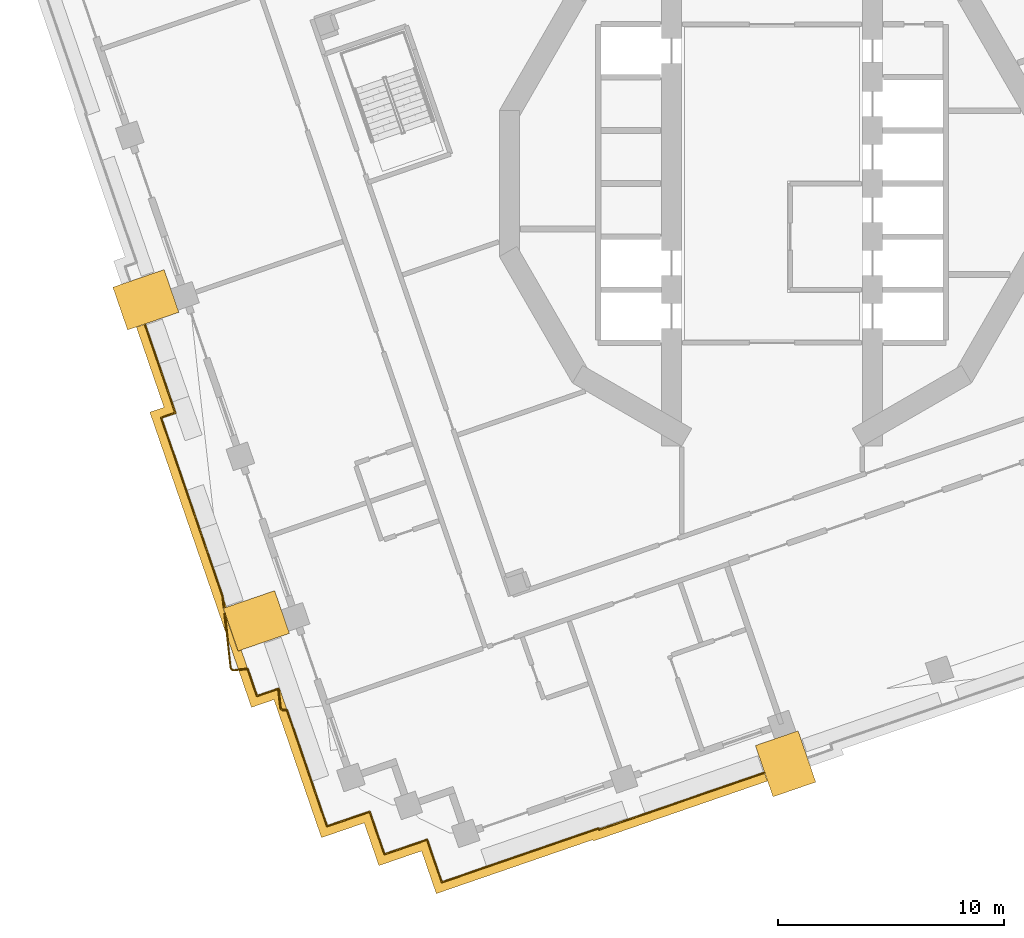
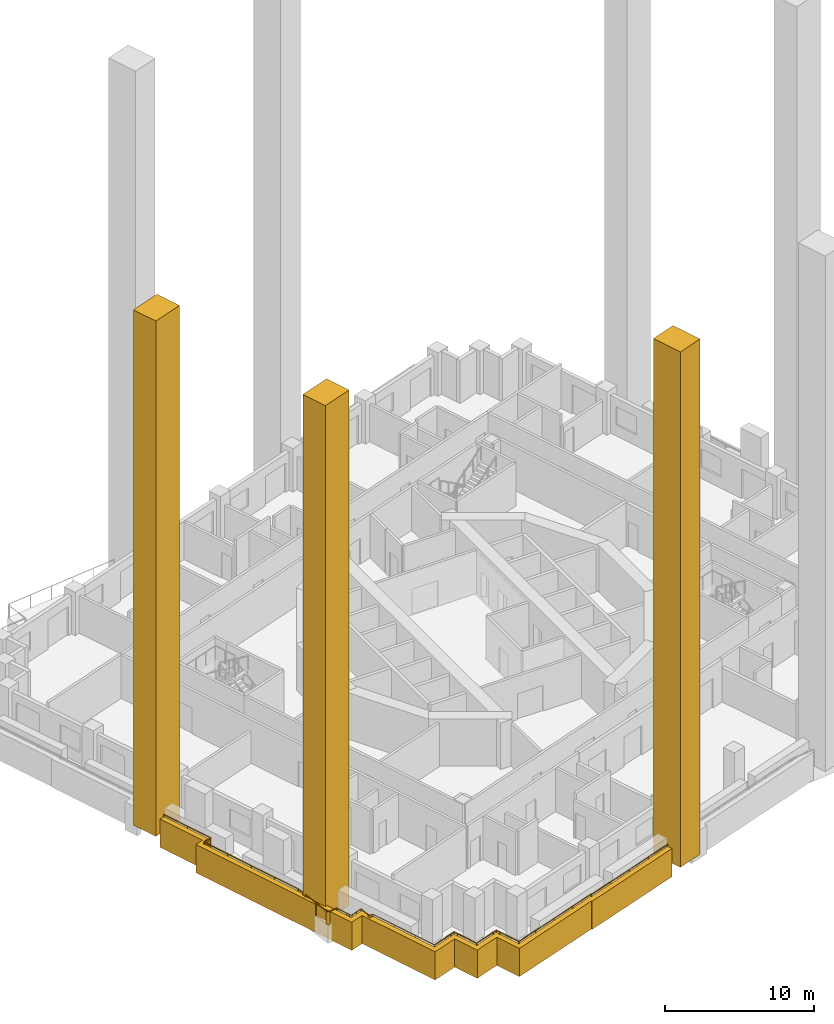
# One storey, part 10 of 18: 4 coverings, 3 railings.
"""IFC4 building model written with IfcOpenShell, lengths in metres."""

from ifc_helpers import new_model, si_unit, direction, frame, origin, origin_2d, place, context, subcontext, project, spatial, polyline, rectangle, circle, outline, extrude, material, type_object, element, save


model = new_model("IFC4")

# Units and contexts
model_context = context("Model", 3, precision=1e-05, world=origin(), true_north=direction((0.0, 1.0)))
body_context = subcontext(model_context, "Body", "Model", "MODEL_VIEW")
ifc_project = project(units=[si_unit("LENGTHUNIT", "METRE"), si_unit("AREAUNIT", "SQUARE_METRE"), si_unit("VOLUMEUNIT", "CUBIC_METRE"), si_unit("PLANEANGLEUNIT", "RADIAN"), si_unit("MASSUNIT", "GRAM", prefix="KILO")], contexts=[model_context])

# Site, building, storey
site_placement = place(None, origin())
site = spatial("IfcSite", under=ifc_project, at=site_placement, CompositionType="ELEMENT")
building_placement = place(site_placement, origin())
building = spatial("IfcBuilding", under=site, at=building_placement, Name="Cantera Rosa Tower", CompositionType="ELEMENT")
storey_placement = place(building_placement, frame((0.0, 0.0, 100.300048828125)))
storey = spatial("IfcBuildingStorey", under=building, at=storey_placement, Name="L19", CompositionType="ELEMENT", Elevation=100.300048828125)

# Railings
ifc_material_1 = material(Name="Stainless steel and laminated glass", Category="steel")
railing_type = type_object("IfcRailingType", Name="GUARD 1100", PredefinedType="BALUSTRADE", material=ifc_material_1)
railing_1_placement = place(storey_placement, frame((-19.705810546875, -28.466552734375, 0.0)))
element("IfcRailing", 1, at=railing_1_placement, inside=storey, type_object=railing_type, Name="GUARD L19-1", PredefinedType="BALUSTRADE", context=body_context, shape_type="SweptSolid", body=[
    extrude(circle(Radius=0.030029296875, at=origin_2d()), frame((0.0, 0.0, 1.070068359375), z_axis=(-0.325561349174, 0.945520918819, 0.0), x_axis=(-0.945520918819, -0.325561349174, 0.0)), (0.0, 0.0, 1.0), 1.699951171875),
    extrude(circle(Radius=0.030029296875, at=origin_2d()), frame((-0.553466796875, 1.607421875, 1.070068359375), z_axis=(-0.325563487495, 0.94552018255, 0.0), x_axis=(-0.94552018255, -0.325563487495, 0.0)), (0.0, 0.0, 1.0), 3.751708984375),
    extrude(circle(Radius=0.030029296875, at=origin_2d()), frame((-1.77490234375, 5.15478515625, 1.070068359375), z_axis=(-0.993720777741, -0.111888408181, 0.0), x_axis=(0.111888408181, -0.993720777741, 0.0)), (0.0, 0.0, 1.0), 0.128662109375),
    extrude(circle(Radius=0.030029296875, at=origin_2d()), frame((-1.90283203125, 5.140380859375, 1.070068359375), z_axis=(-0.998752338878, -0.049937616944, 0.0), x_axis=(0.049937616944, -0.998752338878, 0.0)), (0.0, 0.0, 1.0), 0.0146484375),
    extrude(circle(Radius=0.030029296875, at=origin_2d()), frame((-1.91748046875, 5.1396484375, 1.070068359375), z_axis=(-0.999462943033, 0.032769276821, 0.0), x_axis=(-0.032769276821, -0.999462943033, 0.0)), (0.0, 0.0, 1.0), 0.014892578125),
    extrude(circle(Radius=0.030029296875, at=origin_2d()), frame((-1.932373046875, 5.14013671875, 1.070068359375), z_axis=(-0.99093208818, 0.134363672974, 0.0), x_axis=(-0.134363672974, -0.99093208818, 0.0)), (0.0, 0.0, 1.0), 0.0146484375),
    extrude(circle(Radius=0.030029296875, at=origin_2d()), frame((-1.94677734375, 5.14208984375, 1.070068359375), z_axis=(-0.972982875401, 0.230877292468, 0.0), x_axis=(-0.230877292468, -0.972982875401, 0.0)), (0.0, 0.0, 1.0), 0.014892578125),
    extrude(circle(Radius=0.030029296875, at=origin_2d()), frame((-1.961181640625, 5.1455078125, 1.070068359375), z_axis=(-0.943599982133, 0.331087713029, 0.0), x_axis=(-0.331087713029, -0.943599982133, 0.0)), (0.0, 0.0, 1.0), 0.0146484375),
    extrude(circle(Radius=0.030029296875, at=origin_2d()), frame((-1.97509765625, 5.150390625, 1.070068359375), z_axis=(-0.910366477463, 0.413802944301, 0.0), x_axis=(-0.413802944301, -0.910366477463, 0.0)), (0.0, 0.0, 1.0), 0.0146484375),
    extrude(circle(Radius=0.030029296875, at=origin_2d()), frame((-1.988525390625, 5.156494140625, 1.070068359375), z_axis=(-0.866185586049, 0.49972245349, 0.0), x_axis=(-0.49972245349, -0.866185586049, 0.0)), (0.0, 0.0, 1.0), 0.0146484375),
    extrude(circle(Radius=0.030029296875, at=origin_2d()), frame((-2.001220703125, 5.163818359375, 1.070068359375), z_axis=(-0.813733471207, 0.581238193719, 0.0), x_axis=(-0.581238193719, -0.813733471207, 0.0)), (0.0, 0.0, 1.0), 0.0146484375),
    extrude(circle(Radius=0.030029296875, at=origin_2d()), frame((-2.01318359375, 5.17236328125, 1.070068359375), z_axis=(-0.747409318684, 0.66436383883, 0.0), x_axis=(-0.66436383883, -0.747409318684, 0.0)), (0.0, 0.0, 1.0), 0.0146484375),
    extrude(circle(Radius=0.030029296875, at=origin_2d()), frame((-2.024169921875, 5.18212890625, 1.070068359375), z_axis=(-0.673489996184, 0.739196337275, 0.0), x_axis=(-0.739196337275, -0.673489996184, 0.0)), (0.0, 0.0, 1.0), 0.014892578125),
    extrude(circle(Radius=0.030029296875, at=origin_2d()), frame((-2.0341796875, 5.193115234375, 1.070068359375), z_axis=(-0.618559606331, 0.785737878313, 0.0), x_axis=(-0.785737878313, -0.618559606331, 0.0)), (0.0, 0.0, 1.0), 0.0146484375),
    extrude(circle(Radius=0.030029296875, at=origin_2d()), frame((-2.043212890625, 5.20458984375, 1.070068359375), z_axis=(-0.512064542317, 0.858946974209, 0.0), x_axis=(-0.858946974209, -0.512064542317, 0.0)), (0.0, 0.0, 1.0), 0.014892578125),
    extrude(circle(Radius=0.030029296875, at=origin_2d()), frame((-2.05078125, 5.21728515625, 1.070068359375), z_axis=(-0.4472135955, 0.894427191, 0.0), x_axis=(-0.894427191, -0.4472135955, 0.0)), (0.0, 0.0, 1.0), 0.0146484375),
    extrude(circle(Radius=0.030029296875, at=origin_2d()), frame((-2.057373046875, 5.23046875, 1.070068359375), z_axis=(-0.345705358827, 0.938343116817, 0.0), x_axis=(-0.938343116817, -0.345705358827, 0.0)), (0.0, 0.0, 1.0), 0.014892578125),
    extrude(circle(Radius=0.030029296875, at=origin_2d()), frame((-2.0625, 5.244384765625, 1.070068359375), z_axis=(-0.250382821969, 0.968146911612, 0.0), x_axis=(-0.968146911612, -0.250382821969, 0.0)), (0.0, 0.0, 1.0), 0.0146484375),
    extrude(circle(Radius=0.030029296875, at=origin_2d()), frame((-2.066162109375, 5.258544921875, 1.070068359375), z_axis=(-0.167108230108, 0.985938557634, 0.0), x_axis=(-0.985938557634, -0.167108230108, 0.0)), (0.0, 0.0, 1.0), 0.0146484375),
    extrude(circle(Radius=0.030029296875, at=origin_2d()), frame((-2.068603515625, 5.27294921875, 1.070068359375), z_axis=(-0.110301350442, 0.993898190003, 0.0), x_axis=(-0.993898190003, -0.110301350442, 0.0)), (0.0, 0.0, 1.0), 0.823486328125),
    extrude(circle(Radius=0.030029296875, at=origin_2d()), frame((-2.159423828125, 6.09130859375, 1.070068359375), z_axis=(-0.141421356237, 0.989949493661, 0.0), x_axis=(-0.989949493661, -0.141421356237, 0.0)), (0.0, 0.0, 1.0), 0.00341796875),
    extrude(circle(Radius=0.030029296875, at=origin_2d()), frame((-2.159912109375, 6.0947265625, 1.070068359375), z_axis=(-0.964763821238, -0.263117405792, 0.0), x_axis=(0.263117405792, -0.964763821238, 0.0)), (0.0, 0.0, 1.0), 0.002685546875),
    extrude(circle(Radius=0.030029296875, at=origin_2d()), frame((-2.16259765625, 6.093994140625, 1.070068359375), z_axis=(-0.945630789011, -0.325242080419, 0.0), x_axis=(0.325242080419, -0.945630789011, 0.0)), (0.0, 0.0, 1.0), 0.46240234375),
    extrude(circle(Radius=0.030029296875, at=origin_2d()), frame((-2.599853515625, 5.943603515625, 1.070068359375), z_axis=(-0.945495531654, -0.325635071241, 0.0), x_axis=(0.325635071241, -0.945495531654, 0.0)), (0.0, 0.0, 1.0), 0.380859375),
    extrude(circle(Radius=0.030029296875, at=origin_2d()), frame((-2.9599609375, 5.819580078125, 1.070068359375), z_axis=(-0.894427191, -0.4472135955, 0.0), x_axis=(0.4472135955, -0.894427191, 0.0)), (0.0, 0.0, 1.0), 0.00048828125),
    extrude(circle(Radius=0.030029296875, at=origin_2d()), frame((-2.96044921875, 5.8193359375, 1.070068359375), z_axis=(-0.945702289653, -0.325034120278, 0.0), x_axis=(0.325034120278, -0.945702289653, 0.0)), (0.0, 0.0, 1.0), 0.1494140625),
    extrude(circle(Radius=0.030029296875, at=origin_2d()), frame((-3.101806640625, 5.770751953125, 1.070068359375), z_axis=(-0.324532784785, 0.945874448117, 0.0), x_axis=(-0.945874448117, -0.324532784785, 0.0)), (0.0, 0.0, 1.0), 0.149658203125),
    extrude(circle(Radius=0.030029296875, at=origin_2d()), frame((-3.150390625, 5.912353515625, 1.070068359375), z_axis=(-0.707106781187, 0.707106781187, 0.0), x_axis=(-0.707106781187, -0.707106781187, 0.0)), (0.0, 0.0, 1.0), 0.000244140625),
    extrude(circle(Radius=0.030029296875, at=origin_2d()), frame((-3.150634765625, 5.91259765625, 1.070068359375), z_axis=(-0.324870696456, 0.945758441984, 0.0), x_axis=(-0.945758441984, -0.324870696456, 0.0)), (0.0, 0.0, 1.0), 0.228515625),
    extrude(circle(Radius=0.030029296875, at=origin_2d()), frame((-3.224853515625, 6.128662109375, 1.070068359375), z_axis=(-0.325745820547, 0.945457381587, 0.0), x_axis=(-0.945457381587, -0.325745820547, 0.0)), (0.0, 0.0, 1.0), 0.89111328125),
    extrude(circle(Radius=0.030029296875, at=origin_2d()), frame((-3.51513671875, 6.97119140625, 1.070068359375), z_axis=(-0.371390676354, 0.928476690885, 0.0), x_axis=(-0.928476690885, -0.371390676354, 0.0)), (0.0, 0.0, 1.0), 0.002685546875),
    extrude(circle(Radius=0.030029296875, at=origin_2d()), frame((-3.51611328125, 6.9736328125, 1.070068359375), z_axis=(-0.997458699831, -0.071247049988, 0.0), x_axis=(0.071247049988, -0.997458699831, 0.0)), (0.0, 0.0, 1.0), 0.00341796875),
    extrude(circle(Radius=0.030029296875, at=origin_2d()), frame((-3.51953125, 6.973388671875, 1.070068359375), z_axis=(-0.99389872639, -0.110296517079, 0.0), x_axis=(0.110296517079, -0.99389872639, 0.0)), (0.0, 0.0, 1.0), 0.595458984375),
    extrude(circle(Radius=0.030029296875, at=origin_2d()), frame((-4.111328125, 6.90771484375, 1.070068359375), z_axis=(-0.997785157857, -0.066519010524, 0.0), x_axis=(0.066519010524, -0.997785157857, 0.0)), (0.0, 0.0, 1.0), 0.0146484375),
    extrude(circle(Radius=0.030029296875, at=origin_2d()), frame((-4.1259765625, 6.90673828125, 1.070068359375), z_axis=(-0.999444906979, 0.033314830233, 0.0), x_axis=(-0.033314830233, -0.999444906979, 0.0)), (0.0, 0.0, 1.0), 0.0146484375),
    extrude(circle(Radius=0.030029296875, at=origin_2d()), frame((-4.140625, 6.9072265625, 1.070068359375), z_axis=(-0.991227900683, 0.132163720091, 0.0), x_axis=(-0.132163720091, -0.991227900683, 0.0)), (0.0, 0.0, 1.0), 0.014892578125),
    extrude(circle(Radius=0.030029296875, at=origin_2d()), frame((-4.1552734375, 6.9091796875, 1.070068359375), z_axis=(-0.972982875401, 0.230877292468, 0.0), x_axis=(-0.230877292468, -0.972982875401, 0.0)), (0.0, 0.0, 1.0), 0.014892578125),
    extrude(circle(Radius=0.030029296875, at=origin_2d()), frame((-4.169677734375, 6.91259765625, 1.070068359375), z_axis=(-0.943599982133, 0.331087713029, 0.0), x_axis=(-0.331087713029, -0.943599982133, 0.0)), (0.0, 0.0, 1.0), 0.0146484375),
    extrude(circle(Radius=0.030029296875, at=origin_2d()), frame((-4.18359375, 6.91748046875, 1.070068359375), z_axis=(-0.910366477463, 0.413802944301, 0.0), x_axis=(-0.413802944301, -0.910366477463, 0.0)), (0.0, 0.0, 1.0), 0.0146484375),
    extrude(circle(Radius=0.030029296875, at=origin_2d()), frame((-4.197021484375, 6.923583984375, 1.070068359375), z_axis=(-0.866185586049, 0.49972245349, 0.0), x_axis=(-0.49972245349, -0.866185586049, 0.0)), (0.0, 0.0, 1.0), 0.0146484375),
    extrude(circle(Radius=0.030029296875, at=origin_2d()), frame((-4.209716796875, 6.930908203125, 1.070068359375), z_axis=(-0.813733471207, 0.581238193719, 0.0), x_axis=(-0.581238193719, -0.813733471207, 0.0)), (0.0, 0.0, 1.0), 0.0146484375),
    extrude(circle(Radius=0.030029296875, at=origin_2d()), frame((-4.2216796875, 6.939453125, 1.070068359375), z_axis=(-0.747409318684, 0.66436383883, 0.0), x_axis=(-0.66436383883, -0.747409318684, 0.0)), (0.0, 0.0, 1.0), 0.0146484375),
    extrude(circle(Radius=0.030029296875, at=origin_2d()), frame((-4.232666015625, 6.94921875, 1.070068359375), z_axis=(-0.673489996184, 0.739196337275, 0.0), x_axis=(-0.739196337275, -0.673489996184, 0.0)), (0.0, 0.0, 1.0), 0.014892578125),
    extrude(circle(Radius=0.030029296875, at=origin_2d()), frame((-4.24267578125, 6.960205078125, 1.070068359375), z_axis=(-0.6, 0.8, 0.0), x_axis=(-0.8, -0.6, 0.0)), (0.0, 0.0, 1.0), 0.0146484375),
    extrude(circle(Radius=0.030029296875, at=origin_2d()), frame((-4.25146484375, 6.971923828125, 1.070068359375), z_axis=(-0.531491071064, 0.847063894508, 0.0), x_axis=(-0.847063894508, -0.531491071064, 0.0)), (0.0, 0.0, 1.0), 0.0146484375),
    extrude(circle(Radius=0.030029296875, at=origin_2d()), frame((-4.25927734375, 6.984375, 1.070068359375), z_axis=(-0.433815618773, 0.901001669759, 0.0), x_axis=(-0.901001669759, -0.433815618773, 0.0)), (0.0, 0.0, 1.0), 0.0146484375),
    extrude(circle(Radius=0.030029296875, at=origin_2d()), frame((-4.265625, 6.99755859375, 1.070068359375), z_axis=(-0.345705358827, 0.938343116817, 0.0), x_axis=(-0.938343116817, -0.345705358827, 0.0)), (0.0, 0.0, 1.0), 0.014892578125),
    extrude(circle(Radius=0.030029296875, at=origin_2d()), frame((-4.270751953125, 7.011474609375, 1.070068359375), z_axis=(-0.265928998126, 0.963992618206, 0.0), x_axis=(-0.963992618206, -0.265928998126, 0.0)), (0.0, 0.0, 1.0), 0.0146484375),
    extrude(circle(Radius=0.030029296875, at=origin_2d()), frame((-4.274658203125, 7.025634765625, 1.070068359375), z_axis=(-0.150797989671, 0.988564598957, 0.0), x_axis=(-0.988564598957, -0.150797989671, 0.0)), (0.0, 0.0, 1.0), 0.0146484375),
    extrude(circle(Radius=0.030029296875, at=origin_2d()), frame((-4.27685546875, 7.0400390625, 1.070068359375), z_axis=(-0.110363980542, 0.993891237409, 0.0), x_axis=(-0.993891237409, -0.110363980542, 0.0)), (0.0, 0.0, 1.0), 2.38037109375),
    extrude(circle(Radius=0.02490234375, at=origin_2d()), origin(), (0.0, 0.0, 1.0), 1.0400390625),
    extrude(circle(Radius=0.02490234375, at=origin_2d()), frame((-0.553466796875, 1.607421875, 0.0)), (0.0, 0.0, 1.0), 1.0400390625),
    extrude(circle(Radius=0.02490234375, at=origin_2d()), frame((-1.1640625, 3.381103515625, 0.0)), (0.0, 0.0, 1.0), 1.0400390625),
    extrude(circle(Radius=0.02490234375, at=origin_2d()), frame((-1.77490234375, 5.15478515625, 0.0)), (0.0, 0.0, 1.0), 1.0400390625),
    extrude(circle(Radius=0.02490234375, at=origin_2d()), frame((-1.90283203125, 5.140380859375, 0.0)), (0.0, 0.0, 1.0), 1.0400390625),
    extrude(circle(Radius=0.02490234375, at=origin_2d()), frame((-1.91748046875, 5.1396484375, 0.0)), (0.0, 0.0, 1.0), 1.0400390625),
    extrude(circle(Radius=0.02490234375, at=origin_2d()), frame((-1.932373046875, 5.14013671875, 0.0)), (0.0, 0.0, 1.0), 1.0400390625),
    extrude(circle(Radius=0.02490234375, at=origin_2d()), frame((-1.94677734375, 5.14208984375, 0.0)), (0.0, 0.0, 1.0), 1.0400390625),
    extrude(circle(Radius=0.02490234375, at=origin_2d()), frame((-1.961181640625, 5.1455078125, 0.0)), (0.0, 0.0, 1.0), 1.0400390625),
    extrude(circle(Radius=0.02490234375, at=origin_2d()), frame((-1.97509765625, 5.150390625, 0.0)), (0.0, 0.0, 1.0), 1.0400390625),
    extrude(circle(Radius=0.02490234375, at=origin_2d()), frame((-1.988525390625, 5.156494140625, 0.0)), (0.0, 0.0, 1.0), 1.0400390625),
    extrude(circle(Radius=0.02490234375, at=origin_2d()), frame((-2.001220703125, 5.163818359375, 0.0)), (0.0, 0.0, 1.0), 1.0400390625),
    extrude(circle(Radius=0.02490234375, at=origin_2d()), frame((-2.01318359375, 5.17236328125, 0.0)), (0.0, 0.0, 1.0), 1.0400390625),
    extrude(circle(Radius=0.02490234375, at=origin_2d()), frame((-2.024169921875, 5.18212890625, 0.0)), (0.0, 0.0, 1.0), 1.0400390625),
    extrude(circle(Radius=0.02490234375, at=origin_2d()), frame((-2.0341796875, 5.193115234375, 0.0)), (0.0, 0.0, 1.0), 1.0400390625),
    extrude(circle(Radius=0.02490234375, at=origin_2d()), frame((-2.043212890625, 5.20458984375, 0.0)), (0.0, 0.0, 1.0), 1.0400390625),
    extrude(circle(Radius=0.02490234375, at=origin_2d()), frame((-2.05078125, 5.21728515625, 0.0)), (0.0, 0.0, 1.0), 1.0400390625),
    extrude(circle(Radius=0.02490234375, at=origin_2d()), frame((-2.057373046875, 5.23046875, 0.0)), (0.0, 0.0, 1.0), 1.0400390625),
    extrude(circle(Radius=0.02490234375, at=origin_2d()), frame((-2.0625, 5.244384765625, 0.0)), (0.0, 0.0, 1.0), 1.0400390625),
    extrude(circle(Radius=0.02490234375, at=origin_2d()), frame((-2.066162109375, 5.258544921875, 0.0)), (0.0, 0.0, 1.0), 1.0400390625),
    extrude(circle(Radius=0.02490234375, at=origin_2d()), frame((-2.068603515625, 5.27294921875, 0.0)), (0.0, 0.0, 1.0), 1.0400390625),
    extrude(circle(Radius=0.02490234375, at=origin_2d()), frame((-2.159423828125, 6.09130859375, 0.0)), (0.0, 0.0, 1.0), 1.0400390625),
    extrude(circle(Radius=0.02490234375, at=origin_2d()), frame((-2.159912109375, 6.0947265625, 0.0)), (0.0, 0.0, 1.0), 1.0400390625),
    extrude(circle(Radius=0.02490234375, at=origin_2d()), frame((-2.16259765625, 6.093994140625, 0.0)), (0.0, 0.0, 1.0), 1.0400390625),
    extrude(circle(Radius=0.02490234375, at=origin_2d()), frame((-2.599853515625, 5.943603515625, 0.0)), (0.0, 0.0, 1.0), 1.0400390625),
    extrude(circle(Radius=0.02490234375, at=origin_2d()), frame((-2.9599609375, 5.819580078125, 0.0)), (0.0, 0.0, 1.0), 1.0400390625),
    extrude(circle(Radius=0.02490234375, at=origin_2d()), frame((-2.96044921875, 5.8193359375, 0.0)), (0.0, 0.0, 1.0), 1.0400390625),
    extrude(circle(Radius=0.02490234375, at=origin_2d()), frame((-3.101806640625, 5.770751953125, 0.0)), (0.0, 0.0, 1.0), 1.0400390625),
    extrude(circle(Radius=0.02490234375, at=origin_2d()), frame((-3.150390625, 5.912353515625, 0.0)), (0.0, 0.0, 1.0), 1.0400390625),
    extrude(circle(Radius=0.02490234375, at=origin_2d()), frame((-3.150634765625, 5.91259765625, 0.0)), (0.0, 0.0, 1.0), 1.0400390625),
    extrude(circle(Radius=0.02490234375, at=origin_2d()), frame((-3.224853515625, 6.128662109375, 0.0)), (0.0, 0.0, 1.0), 1.0400390625),
    extrude(circle(Radius=0.02490234375, at=origin_2d()), frame((-3.51513671875, 6.97119140625, 0.0)), (0.0, 0.0, 1.0), 1.0400390625),
    extrude(circle(Radius=0.02490234375, at=origin_2d()), frame((-3.51611328125, 6.9736328125, 0.0)), (0.0, 0.0, 1.0), 1.0400390625),
    extrude(circle(Radius=0.02490234375, at=origin_2d()), frame((-3.51953125, 6.973388671875, 0.0)), (0.0, 0.0, 1.0), 1.0400390625),
    extrude(circle(Radius=0.02490234375, at=origin_2d()), frame((-4.111328125, 6.90771484375, 0.0)), (0.0, 0.0, 1.0), 1.0400390625),
    extrude(circle(Radius=0.02490234375, at=origin_2d()), frame((-4.1259765625, 6.90673828125, 0.0)), (0.0, 0.0, 1.0), 1.0400390625),
    extrude(circle(Radius=0.02490234375, at=origin_2d()), frame((-4.140625, 6.9072265625, 0.0)), (0.0, 0.0, 1.0), 1.0400390625),
    extrude(circle(Radius=0.02490234375, at=origin_2d()), frame((-4.1552734375, 6.9091796875, 0.0)), (0.0, 0.0, 1.0), 1.0400390625),
    extrude(circle(Radius=0.02490234375, at=origin_2d()), frame((-4.169677734375, 6.91259765625, 0.0)), (0.0, 0.0, 1.0), 1.0400390625),
    extrude(circle(Radius=0.02490234375, at=origin_2d()), frame((-4.18359375, 6.91748046875, 0.0)), (0.0, 0.0, 1.0), 1.0400390625),
    extrude(circle(Radius=0.02490234375, at=origin_2d()), frame((-4.197021484375, 6.923583984375, 0.0)), (0.0, 0.0, 1.0), 1.0400390625),
    extrude(circle(Radius=0.02490234375, at=origin_2d()), frame((-4.209716796875, 6.930908203125, 0.0)), (0.0, 0.0, 1.0), 1.0400390625),
    extrude(circle(Radius=0.02490234375, at=origin_2d()), frame((-4.2216796875, 6.939453125, 0.0)), (0.0, 0.0, 1.0), 1.0400390625),
    extrude(circle(Radius=0.02490234375, at=origin_2d()), frame((-4.232666015625, 6.94921875, 0.0)), (0.0, 0.0, 1.0), 1.0400390625),
    extrude(circle(Radius=0.02490234375, at=origin_2d()), frame((-4.24267578125, 6.960205078125, 0.0)), (0.0, 0.0, 1.0), 1.0400390625),
    extrude(circle(Radius=0.02490234375, at=origin_2d()), frame((-4.25146484375, 6.971923828125, 0.0)), (0.0, 0.0, 1.0), 1.0400390625),
    extrude(circle(Radius=0.02490234375, at=origin_2d()), frame((-4.25927734375, 6.984375, 0.0)), (0.0, 0.0, 1.0), 1.0400390625),
    extrude(circle(Radius=0.02490234375, at=origin_2d()), frame((-4.265625, 6.99755859375, 0.0)), (0.0, 0.0, 1.0), 1.0400390625),
    extrude(circle(Radius=0.02490234375, at=origin_2d()), frame((-4.270751953125, 7.011474609375, 0.0)), (0.0, 0.0, 1.0), 1.0400390625),
    extrude(circle(Radius=0.02490234375, at=origin_2d()), frame((-4.274658203125, 7.025634765625, 0.0)), (0.0, 0.0, 1.0), 1.0400390625),
    extrude(circle(Radius=0.02490234375, at=origin_2d()), frame((-4.27685546875, 7.0400390625, 0.0)), (0.0, 0.0, 1.0), 1.0400390625),
    extrude(circle(Radius=0.02490234375, at=origin_2d()), frame((-4.408203125, 8.222900390625, 0.0)), (0.0, 0.0, 1.0), 1.0400390625),
    extrude(circle(Radius=0.02490234375, at=origin_2d()), frame((-4.53955078125, 9.40576171875, 0.0)), (0.0, 0.0, 1.0), 1.0400390625),
])
railing_2_placement = place(storey_placement, frame((-24.27685546875, -18.77685546875, 0.0)))
element("IfcRailing", 2, at=railing_2_placement, inside=storey, type_object=railing_type, Name="GUARD L19-2", PredefinedType="BALUSTRADE", context=body_context, shape_type="SweptSolid", body=[
    extrude(circle(Radius=0.030029296875, at=origin_2d()), frame((0.0, 0.0, 1.070068359375), z_axis=(-0.110016923225, 0.993929714117, 0.0), x_axis=(-0.993929714117, -0.110016923225, 0.0)), (0.0, 0.0, 1.0), 0.51708984375),
    extrude(circle(Radius=0.030029296875, at=origin_2d()), frame((-0.056884765625, 0.513916015625, 1.070068359375), z_axis=(-0.325591885377, 0.945510404055, 0.0), x_axis=(-0.945510404055, -0.325591885377, 0.0)), (0.0, 0.0, 1.0), 8.339599609375),
    extrude(circle(Radius=0.030029296875, at=origin_2d()), frame((-2.772216796875, 8.399169921875, 1.070068359375), z_axis=(0.945591306029, 0.325356853259, 0.0), x_axis=(-0.325356853259, 0.945591306029, 0.0)), (0.0, 0.0, 1.0), 0.664794921875),
    extrude(circle(Radius=0.030029296875, at=origin_2d()), frame((-2.1435546875, 8.615478515625, 1.070068359375), z_axis=(-0.325526781046, 0.945532820595, 0.0), x_axis=(-0.945532820595, -0.325526781046, 0.0)), (0.0, 0.0, 1.0), 4.13623046875),
    extrude(circle(Radius=0.02490234375, at=origin_2d()), origin(), (0.0, 0.0, 1.0), 1.0400390625),
    extrude(circle(Radius=0.02490234375, at=origin_2d()), frame((-0.056884765625, 0.513916015625, 0.0)), (0.0, 0.0, 1.0), 1.0400390625),
    extrude(circle(Radius=0.02490234375, at=origin_2d()), frame((-0.73583984375, 2.4853515625, 0.0)), (0.0, 0.0, 1.0), 1.0400390625),
    extrude(circle(Radius=0.02490234375, at=origin_2d()), frame((-1.41455078125, 4.45654296875, 0.0)), (0.0, 0.0, 1.0), 1.0400390625),
    extrude(circle(Radius=0.02490234375, at=origin_2d()), frame((-2.09326171875, 6.427734375, 0.0)), (0.0, 0.0, 1.0), 1.0400390625),
    extrude(circle(Radius=0.02490234375, at=origin_2d()), frame((-2.772216796875, 8.399169921875, 0.0)), (0.0, 0.0, 1.0), 1.0400390625),
    extrude(circle(Radius=0.02490234375, at=origin_2d()), frame((-2.1435546875, 8.615478515625, 0.0)), (0.0, 0.0, 1.0), 1.0400390625),
    extrude(circle(Radius=0.02490234375, at=origin_2d()), frame((-2.81689453125, 10.57080078125, 0.0)), (0.0, 0.0, 1.0), 1.0400390625),
    extrude(circle(Radius=0.02490234375, at=origin_2d()), frame((-3.489990234375, 12.5263671875, 0.0)), (0.0, 0.0, 1.0), 1.0400390625),
])
railing_3_placement = place(storey_placement, frame((-0.3525390625, -26.09814453125, 0.0)))
element("IfcRailing", 3, at=railing_3_placement, inside=storey, type_object=railing_type, Name="GUARD L19-3", PredefinedType="BALUSTRADE", context=body_context, shape_type="SweptSolid", body=[
    extrude(circle(Radius=0.030029296875, at=origin_2d()), frame((0.0, 0.0, 1.070068359375), z_axis=(-0.945517189381, -0.325572180299, 0.0), x_axis=(0.325572180299, -0.945517189381, 0.0)), (0.0, 0.0, 1.0), 7.731201171875),
    extrude(circle(Radius=0.030029296875, at=origin_2d()), frame((-7.31005859375, -2.51708984375, 1.070068359375), z_axis=(-0.325745820547, 0.945457381587, 0.0), x_axis=(-0.945457381587, -0.325745820547, 0.0)), (0.0, 0.0, 1.0), 0.0615234375),
    extrude(circle(Radius=0.030029296875, at=origin_2d()), frame((-7.330078125, -2.458984375, 1.070068359375), z_axis=(-0.945524258857, -0.32555164861, 0.0), x_axis=(0.32555164861, -0.945524258857, 0.0)), (0.0, 0.0, 1.0), 5.638671875),
    extrude(circle(Radius=0.030029296875, at=origin_2d()), frame((-12.66162109375, -4.294677734375, 1.070068359375), z_axis=(-0.945520918819, -0.325561349174, 0.0), x_axis=(0.325561349174, -0.945520918819, 0.0)), (0.0, 0.0, 1.0), 1.699951171875),
    extrude(circle(Radius=0.030029296875, at=origin_2d()), frame((-14.26904296875, -4.84814453125, 1.070068359375), z_axis=(-0.325561349174, 0.945520918819, 0.0), x_axis=(-0.945520918819, -0.325561349174, 0.0)), (0.0, 0.0, 1.0), 1.699951171875),
    extrude(circle(Radius=0.030029296875, at=origin_2d()), frame((-14.822509765625, -3.24072265625, 1.070068359375), z_axis=(-0.325489086777, 0.945545797087, 0.0), x_axis=(-0.945545797087, -0.325489086777, 0.0)), (0.0, 0.0, 1.0), 0.300048828125),
    extrude(circle(Radius=0.030029296875, at=origin_2d()), frame((-14.920166015625, -2.95703125, 1.070068359375), z_axis=(-0.945459489149, -0.325739703411, 0.0), x_axis=(0.325739703411, -0.945459489149, 0.0)), (0.0, 0.0, 1.0), 0.2998046875),
    extrude(circle(Radius=0.030029296875, at=origin_2d()), frame((-15.20361328125, -3.0546875, 1.070068359375), z_axis=(-0.945520918819, -0.325561349174, 0.0), x_axis=(0.325561349174, -0.945520918819, 0.0)), (0.0, 0.0, 1.0), 1.699951171875),
    extrude(circle(Radius=0.030029296875, at=origin_2d()), frame((-16.81103515625, -3.608154296875, 1.070068359375), z_axis=(-0.325605561237, 0.945505694584, 0.0), x_axis=(-0.945505694584, -0.325605561237, 0.0)), (0.0, 0.0, 1.0), 1.69970703125),
    extrude(circle(Radius=0.030029296875, at=origin_2d()), frame((-17.364501953125, -2.0009765625, 1.070068359375), z_axis=(-0.325489086777, 0.945545797087, 0.0), x_axis=(-0.945545797087, -0.325489086777, 0.0)), (0.0, 0.0, 1.0), 0.300048828125),
    extrude(circle(Radius=0.030029296875, at=origin_2d()), frame((-17.462158203125, -1.71728515625, 1.070068359375), z_axis=(-0.945545797087, -0.325489086777, 0.0), x_axis=(0.325489086777, -0.945545797087, 0.0)), (0.0, 0.0, 1.0), 0.300048828125),
    extrude(circle(Radius=0.030029296875, at=origin_2d()), frame((-17.745849609375, -1.81494140625, 1.070068359375), z_axis=(-0.945520918819, -0.325561349174, 0.0), x_axis=(0.325561349174, -0.945520918819, 0.0)), (0.0, 0.0, 1.0), 1.699951171875),
    extrude(circle(Radius=0.02490234375, at=origin_2d()), origin(), (0.0, 0.0, 1.0), 1.0400390625),
    extrude(circle(Radius=0.02490234375, at=origin_2d()), frame((-1.82763671875, -0.62939453125, 0.0)), (0.0, 0.0, 1.0), 1.0400390625),
    extrude(circle(Radius=0.02490234375, at=origin_2d()), frame((-3.655029296875, -1.258544921875, 0.0)), (0.0, 0.0, 1.0), 1.0400390625),
    extrude(circle(Radius=0.02490234375, at=origin_2d()), frame((-5.482421875, -1.8876953125, 0.0)), (0.0, 0.0, 1.0), 1.0400390625),
    extrude(circle(Radius=0.02490234375, at=origin_2d()), frame((-7.31005859375, -2.51708984375, 0.0)), (0.0, 0.0, 1.0), 1.0400390625),
    extrude(circle(Radius=0.02490234375, at=origin_2d()), frame((-7.330078125, -2.458984375, 0.0)), (0.0, 0.0, 1.0), 1.0400390625),
    extrude(circle(Radius=0.02490234375, at=origin_2d()), frame((-9.107177734375, -3.07080078125, 0.0)), (0.0, 0.0, 1.0), 1.0400390625),
    extrude(circle(Radius=0.02490234375, at=origin_2d()), frame((-10.884521484375, -3.682861328125, 0.0)), (0.0, 0.0, 1.0), 1.0400390625),
    extrude(circle(Radius=0.02490234375, at=origin_2d()), frame((-12.66162109375, -4.294677734375, 0.0)), (0.0, 0.0, 1.0), 1.0400390625),
    extrude(circle(Radius=0.02490234375, at=origin_2d()), frame((-14.26904296875, -4.84814453125, 0.0)), (0.0, 0.0, 1.0), 1.0400390625),
    extrude(circle(Radius=0.02490234375, at=origin_2d()), frame((-14.822509765625, -3.24072265625, 0.0)), (0.0, 0.0, 1.0), 1.0400390625),
    extrude(circle(Radius=0.02490234375, at=origin_2d()), frame((-14.920166015625, -2.95703125, 0.0)), (0.0, 0.0, 1.0), 1.0400390625),
    extrude(circle(Radius=0.02490234375, at=origin_2d()), frame((-15.20361328125, -3.0546875, 0.0)), (0.0, 0.0, 1.0), 1.0400390625),
    extrude(circle(Radius=0.02490234375, at=origin_2d()), frame((-16.81103515625, -3.608154296875, 0.0)), (0.0, 0.0, 1.0), 1.0400390625),
    extrude(circle(Radius=0.02490234375, at=origin_2d()), frame((-17.364501953125, -2.0009765625, 0.0)), (0.0, 0.0, 1.0), 1.0400390625),
    extrude(circle(Radius=0.02490234375, at=origin_2d()), frame((-17.462158203125, -1.71728515625, 0.0)), (0.0, 0.0, 1.0), 1.0400390625),
    extrude(circle(Radius=0.02490234375, at=origin_2d()), frame((-17.745849609375, -1.81494140625, 0.0)), (0.0, 0.0, 1.0), 1.0400390625),
    extrude(circle(Radius=0.02490234375, at=origin_2d()), frame((-19.353271484375, -2.368408203125, 0.0)), (0.0, 0.0, 1.0), 1.0400390625),
])

# Coverings
ifc_material_2 = material(Name="Cantera stone", Category="masonry")
covering_type_1 = type_object("IfcCoveringType", Name="STONE FIN 2000x2400", PredefinedType="CLADDING", material=ifc_material_2)
for number, where, z_axis, x_axis, name in (
    (4, (0.601318359375, -25.70458984375, -0.300048828125), (0.0, 0.0, 1.0), (0.945518575599, 0.325568154457, 0.0), "STONE FIN FN-Z2-05"),
    (5, (-27.734375, -5.14990234375, -0.300048828125), (0.0, 0.0, 1.0), (0.325568154457, -0.945518575599, 0.0), "STONE FIN FN-Z2-07"),
    (6, (-22.837890625, -19.37060546875, -0.300048828125), (0.0, 0.0, 1.0), (0.325568154457, -0.945518575599, 0.0), "STONE FIN FN-Z2-08"),
):
    element("IfcCovering", number, at=place(storey_placement, frame(where, z_axis=z_axis, x_axis=x_axis)), inside=storey, type_object=covering_type_1, Name=name, PredefinedType="CLADDING", context=body_context, shape_type="SweptSolid", body=[
        extrude(rectangle(XDim=2.0, YDim=2.39990234375, at=origin_2d()), origin(), (0.0, 0.0, 1.0), 42.10009765625),
    ])
ifc_material_3 = material(Name="Cantera stone", Category="masonry")
covering_type_2 = type_object("IfcCoveringType", Name="TRAY FASCIA 400", PredefinedType="CLADDING", material=ifc_material_3)
covering_placement = place(storey_placement, frame((0.0, 0.0, -1.400146484375)))
element("IfcCovering", 7, at=covering_placement, inside=storey, type_object=covering_type_2, Name="TRAY FASCIA L19-02", PredefinedType="CLADDING", context=body_context, shape_type="SweptSolid", body=[
    extrude(outline(polyline([(-7.91064453125, -29.12353515625), (-7.9306640625, -29.0654296875), (-12.8837890625, -30.77099609375), (-14.869384765625, -31.454833984375), (-15.5205078125, -29.563720703125), (-17.41162109375, -30.21484375), (-18.062744140625, -28.32373046875), (-19.953857421875, -28.974853515625), (-20.637451171875, -26.9892578125), (-22.058837890625, -22.861083984375), (-23.055419921875, -23.204345703125), (-27.557373046875, -10.129638671875), (-26.9287109375, -9.913330078125), (-28.151611328125, -6.36181640625), (-27.7734375, -6.231689453125), (-26.42041015625, -10.161376953125), (-27.049072265625, -10.377685546875), (-24.1630859375, -18.7587890625), (-24.30126953125, -18.806396484375), (-24.30224609375, -18.806640625), (-24.302978515625, -18.80712890625), (-24.303955078125, -18.8076171875), (-24.3046875, -18.808349609375), (-24.305419921875, -18.808837890625), (-24.305908203125, -18.809814453125), (-24.306396484375, -18.810546875), (-24.306884765625, -18.811279296875), (-24.307373046875, -18.812255859375), (-24.3076171875, -18.813232421875), (-24.307861328125, -18.814208984375), (-24.307861328125, -18.815185546875), (-24.307861328125, -18.816162109375), (-24.307861328125, -18.817138671875), (-24.3076171875, -18.818115234375), (-24.307373046875, -18.819091796875), (-23.65625, -20.7099609375), (-23.656005859375, -20.7109375), (-23.655517578125, -20.7119140625), (-23.655029296875, -20.712646484375), (-23.654296875, -20.71337890625), (-23.653564453125, -20.714111328125), (-23.65283203125, -20.71484375), (-23.652099609375, -20.71533203125), (-23.651123046875, -20.7158203125), (-23.650390625, -20.716064453125), (-23.6494140625, -20.716552734375), (-23.6484375, -20.716552734375), (-23.6474609375, -20.716796875), (-23.646484375, -20.716796875), (-23.6455078125, -20.716796875), (-23.64453125, -20.716552734375), (-23.6435546875, -20.71630859375), (-23.505615234375, -20.668701171875), (-22.8076171875, -22.69580078125), (-21.81103515625, -22.352783203125), (-20.25927734375, -26.859130859375), (-19.705810546875, -28.466552734375), (-18.098388671875, -27.9130859375), (-17.814697265625, -27.8154296875), (-17.717041015625, -28.09912109375), (-17.16357421875, -29.706298828125), (-15.55615234375, -29.15283203125), (-15.272705078125, -29.05517578125), (-15.175048828125, -29.3388671875), (-14.62158203125, -30.9462890625), (-13.01416015625, -30.392822265625), (-7.6826171875, -28.55712890625), (-7.66259765625, -28.615234375), (-0.33349609375, -26.091552734375), (-0.203369140625, -26.4697265625), (-7.91064453125, -29.12353515625)])), origin(), (0.0, 0.0, 1.0), 2.300048828125),
])

save(model, "model.ifc")
